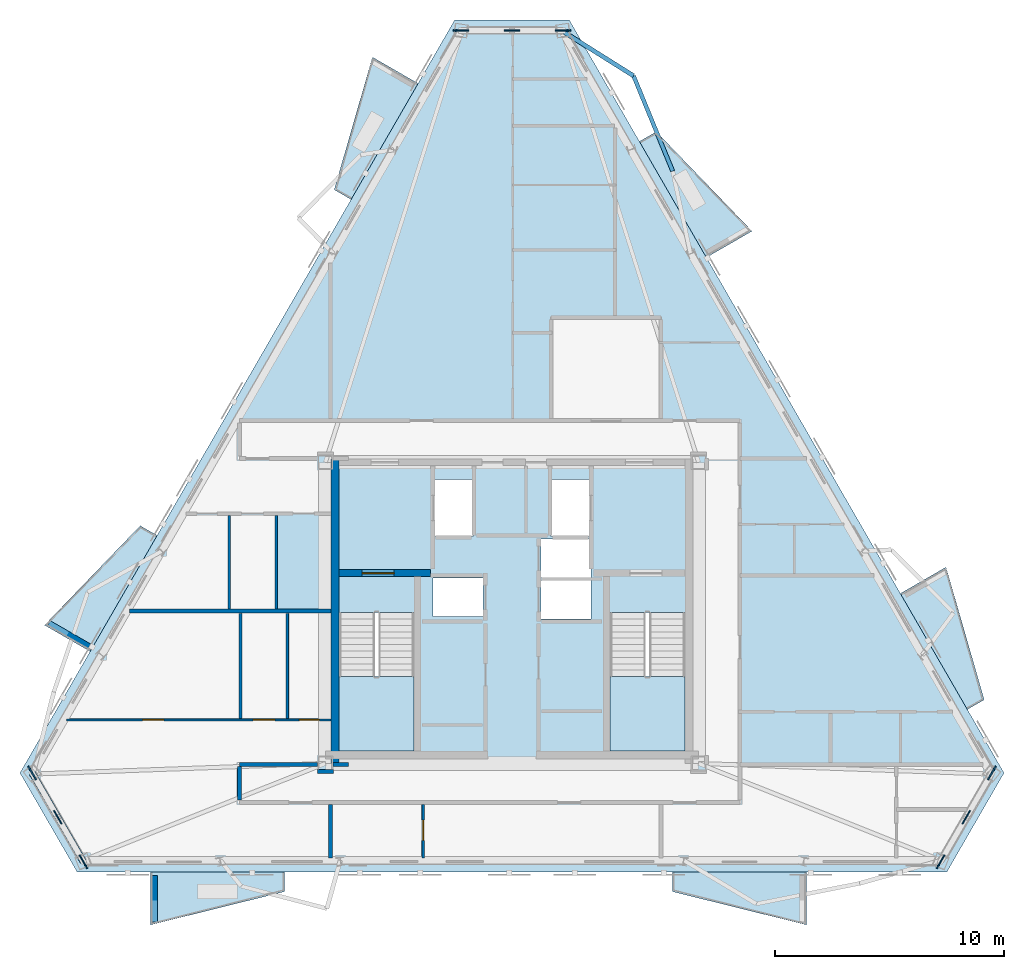
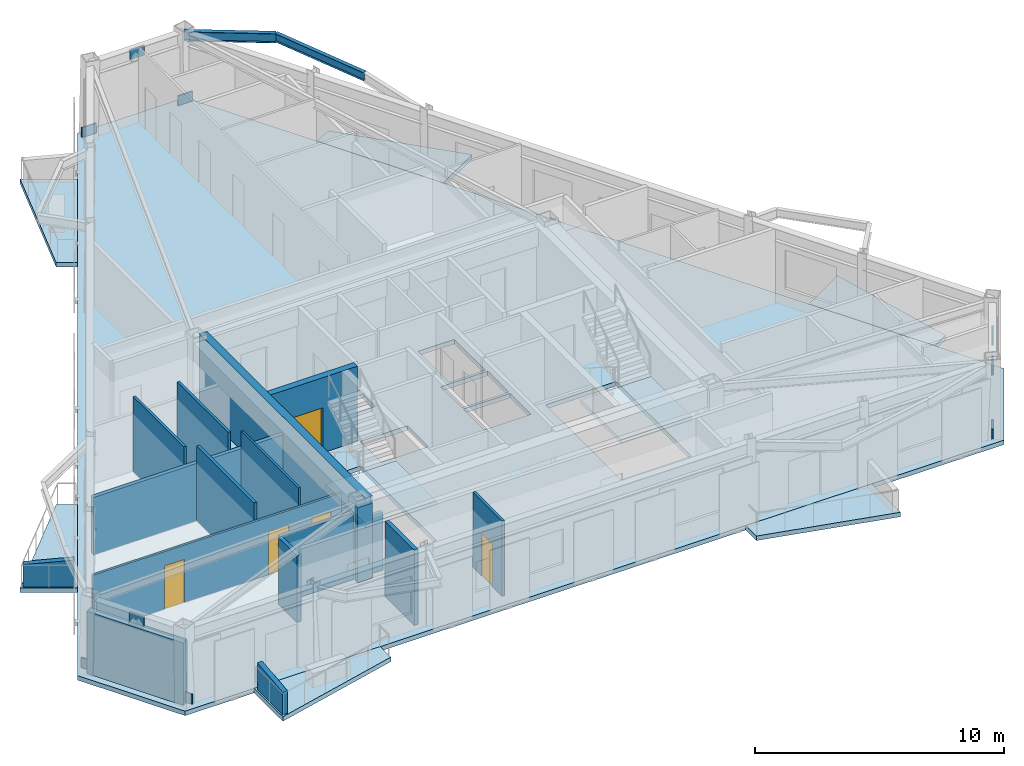
# One storey, part 2 of 9: 17 walls, 9 plates, 9 slabs, 5 doors, 2 beams, 5 openings, 2 elements without a shape of their own.
"""IFC4 building model written with IfcOpenShell, lengths in metres."""

import ifcopenshell
import ifcopenshell.guid

model = None  # the IFC model being written
_history = None  # IfcOwnerHistory: only IFC2X3 demands one
_inside = {}  # id of a spatial element -> (the spatial element, [elements in it])
_under = {}  # id of a project, library or spatial element -> (it, [spatial elements below it])
_declared = {}  # id of a project -> (the project, [libraries it declares])
_typed = {}  # id of a type object -> (the type object, [elements of that type])
_made_of = {}  # id of a material, layer set ... -> (it, [elements and type objects made of it])


def new_model(schema):
    """Start an empty IFC model of exactly this schema.

    Asked for "IFC4X3", IfcOpenShell would pick the latest addendum, in which some entities
    have other attributes; the version numbers below select the first issue.
    IFC2X3 requires an IfcOwnerHistory on every rooted entity: one is made here for all.
    """
    global model, _history
    if schema == "IFC4X3":
        model = ifcopenshell.file(schema_version=(4, 3, 0, 0))
    else:
        model = ifcopenshell.file(schema=schema)
    _inside.clear()
    _under.clear()
    _declared.clear()
    _typed.clear()
    _made_of.clear()
    _history = None
    if model.schema == "IFC2X3":
        org = make("IfcOrganization", Name="unknown")
        user = make(
            "IfcPersonAndOrganization",
            ThePerson=make("IfcPerson", FamilyName="unknown"),
            TheOrganization=org,
        )
        app = make(
            "IfcApplication",
            ApplicationDeveloper=org,
            Version="unknown",
            ApplicationFullName="unknown",
            ApplicationIdentifier="unknown",
        )
        _history = make(
            "IfcOwnerHistory",
            OwningUser=user,
            OwningApplication=app,
            ChangeAction="ADDED",
            CreationDate=0,
        )
    return model


def make(cls, **values):
    """One entity of the class cls with the attributes given. An attribute that is None is left unset."""
    return model.create_entity(
        cls, **{name: value for name, value in values.items() if value is not None}
    )


def rooted(cls, **values):
    """An entity with a GlobalId (a new one), such as an element, a storey or a relation."""
    return make(cls, GlobalId=ifcopenshell.guid.new(), OwnerHistory=_history, **values)


def si_unit(unit_type, name, prefix=None):
    """IfcSIUnit, for example si_unit("LENGTHUNIT", "METRE", prefix="MILLI")."""
    return make("IfcSIUnit", UnitType=unit_type, Prefix=prefix, Name=name)


def assignment(units):
    """IfcUnitAssignment: the units of a project."""
    return None if units is None else make("IfcUnitAssignment", Units=units)


def point(xyz):
    """IfcCartesianPoint."""
    return None if xyz is None else make("IfcCartesianPoint", Coordinates=xyz)


def direction(xyz):
    """IfcDirection."""
    return None if xyz is None else make("IfcDirection", DirectionRatios=xyz)


def frame(location, z_axis=None, x_axis=None):
    """IfcAxis2Placement3D, a coordinate frame: its origin and axes. An axis left out is left unset."""
    return make(
        "IfcAxis2Placement3D",
        Location=point(location),
        Axis=direction(z_axis),
        RefDirection=direction(x_axis),
    )


def frame_2d(location, x_axis=None):
    """IfcAxis2Placement2D, a coordinate frame in the plane: its origin and x axis."""
    return make(
        "IfcAxis2Placement2D", Location=point(location), RefDirection=direction(x_axis)
    )


def origin():
    """The frame at (0, 0, 0) with its axes left unset."""
    return frame((0.0, 0.0, 0.0))


def origin_2d():
    """The frame at (0, 0) in the plane with its x axis left unset."""
    return frame_2d((0.0, 0.0))


def place(relative_to, where):
    """IfcLocalPlacement: puts the frame where relative to a parent placement (None: the world)."""
    return make(
        "IfcLocalPlacement", PlacementRelTo=relative_to, RelativePlacement=where
    )


def context(
    kind, dimensions, precision=None, world=None, true_north=None, identifier=None
):
    """IfcGeometricRepresentationContext, for example the 3D "Model" context."""
    return make(
        "IfcGeometricRepresentationContext",
        ContextIdentifier=identifier,
        ContextType=kind,
        CoordinateSpaceDimension=dimensions,
        Precision=precision,
        WorldCoordinateSystem=world,
        TrueNorth=true_north,
    )


def subcontext(parent, identifier, kind, view, scale=None):
    """IfcGeometricRepresentationSubContext, for example "Body" below "Model"."""
    return make(
        "IfcGeometricRepresentationSubContext",
        ContextIdentifier=identifier,
        ContextType=kind,
        ParentContext=parent,
        TargetScale=scale,
        TargetView=view,
    )


def project(units=None, contexts=None):
    """IfcProject with its units and contexts."""
    return rooted(
        "IfcProject",
        Name="project",
        RepresentationContexts=contexts,
        UnitsInContext=assignment(units),
    )


def spatial(cls, under=None, at=None, **own):
    """A site, building, storey or space (cls), placed at a placement, below another one or the project."""
    s = rooted(cls, ObjectPlacement=at, **own)
    if under is not None:
        _under.setdefault(under.id(), (under, []))[1].append(s)
    return s


def polyline(points):
    """IfcPolyline through the points."""
    return make("IfcPolyline", Points=[point(p) for p in points])


def profile(cls, at=None, kind="AREA", **sizes):
    """A parametric profile (cls). Its sizes go by their IFC names, for example OverallWidth=200.0."""
    return make(cls, ProfileType=kind, Position=at, **sizes)


def rectangle(**sizes):
    """IfcRectangleProfileDef."""
    return profile("IfcRectangleProfileDef", **sizes)


def i_section(**sizes):
    """IfcIShapeProfileDef."""
    return profile("IfcIShapeProfileDef", **sizes)


def outline(outer, holes=None, kind="AREA"):
    """IfcArbitraryClosedProfileDef: a profile drawn as a closed curve; with holes, ...WithVoids."""
    if holes is None:
        return make("IfcArbitraryClosedProfileDef", ProfileType=kind, OuterCurve=outer)
    return make(
        "IfcArbitraryProfileDefWithVoids",
        ProfileType=kind,
        OuterCurve=outer,
        InnerCurves=holes,
    )


def extrude(swept, where, along, depth):
    """IfcExtrudedAreaSolid: the profile swept, set in the frame where, extruded along a direction by depth."""
    return make(
        "IfcExtrudedAreaSolid",
        SweptArea=swept,
        Position=where,
        ExtrudedDirection=direction(along),
        Depth=depth,
    )


def shape(context_of_items, identifier, shape_type, items):
    """IfcShapeRepresentation: the items that make up one representation, for example the "Body"."""
    return make(
        "IfcShapeRepresentation",
        ContextOfItems=context_of_items,
        RepresentationIdentifier=identifier,
        RepresentationType=shape_type,
        Items=items,
    )


def material(Name=None, Category=None):
    """IfcMaterial."""
    return make("IfcMaterial", Name=Name, Category=Category)


def layer(
    of_material, thickness, ventilated=None, Name=None, Category=None, Priority=None
):
    """IfcMaterialLayer: one layer of a wall or slab, of a material (None: an air gap)."""
    return make(
        "IfcMaterialLayer",
        Material=of_material,
        LayerThickness=thickness,
        IsVentilated=ventilated,
        Name=Name,
        Category=Category,
        Priority=Priority,
    )


def layer_set(layers, Name=None):
    """IfcMaterialLayerSet."""
    return make("IfcMaterialLayerSet", MaterialLayers=layers, LayerSetName=Name)


def material_profile(
    of_material, cross_section, Name=None, Category=None, Priority=None
):
    """IfcMaterialProfile: a cross section and its material."""
    return make(
        "IfcMaterialProfile",
        Name=Name,
        Material=of_material,
        Profile=cross_section,
        Priority=Priority,
        Category=Category,
    )


def profile_set(profiles, Name=None, composite=None):
    """IfcMaterialProfileSet."""
    return make(
        "IfcMaterialProfileSet",
        Name=Name,
        MaterialProfiles=profiles,
        CompositeProfile=composite,
    )


def made_of(thing, what):
    """Note that an element or type object is made of a material, layer set ...; save() writes the relation."""
    if what is not None:
        _made_of.setdefault(what.id(), (what, []))[1].append(thing)
    return thing


def type_object(cls, material=None, **own):
    """A type object (cls), such as IfcWallType, which elements share."""
    return made_of(rooted(cls, **own), material)


def element(
    cls,
    number,
    at=None,
    inside=None,
    cuts=None,
    type_object=None,
    material=None,
    context=None,
    identifier="Body",
    shape_type=None,
    held_by="IfcProductDefinitionShape",
    body=None,
    shapes=None,
    **own,
):
    """One element of the class cls, such as IfcWall. Its Tag is "e" and its number.

    at: its placement. inside: the storey or other place that contains it. cuts: it is an
    opening in that element (IfcRelVoidsElement). A single representation is given by context,
    identifier, shape_type and body (its items); several are given by shapes. held_by: the class
    of the entity that holds the representations. save() writes the other relations.
    """
    e = rooted(cls, Tag="e%d" % number, ObjectPlacement=at, **own)
    if body is not None:
        shapes = [shape(context, identifier, shape_type, body)]
    if shapes is not None:
        e.Representation = make(held_by, Representations=shapes)
    if inside is not None:
        _inside.setdefault(inside.id(), (inside, []))[1].append(e)
    if cuts is not None:
        rooted(
            "IfcRelVoidsElement", RelatingBuildingElement=cuts, RelatedOpeningElement=e
        )
    if type_object is not None:
        _typed.setdefault(type_object.id(), (type_object, []))[1].append(e)
    return made_of(e, material)


def fill(opening, filler):
    """IfcRelFillsElement: the door or window that sits in an opening."""
    return rooted(
        "IfcRelFillsElement",
        RelatingOpeningElement=opening,
        RelatedBuildingElement=filler,
    )


def aggregate(whole, parts):
    """IfcRelAggregates: a whole, such as a stair, and the parts it consists of."""
    return rooted("IfcRelAggregates", RelatingObject=whole, RelatedObjects=parts)


def save(model, path):
    """Write the relations noted so far, then the file.

    IfcRelAggregates (storeys below a building ...), IfcRelContainedInSpatialStructure (elements
    in a storey), IfcRelDefinesByType, IfcRelAssociatesMaterial and IfcRelDeclares: one each for
    every whole, place, type object, material and project.
    """
    for whole, parts in _under.values():
        aggregate(whole, parts)
    for where, things in _inside.values():
        rooted(
            "IfcRelContainedInSpatialStructure",
            RelatedElements=things,
            RelatingStructure=where,
        )
    for kind, things in _typed.values():
        rooted("IfcRelDefinesByType", RelatedObjects=things, RelatingType=kind)
    for what, things in _made_of.values():
        rooted("IfcRelAssociatesMaterial", RelatedObjects=things, RelatingMaterial=what)
    for by, libraries in _declared.values():
        rooted("IfcRelDeclares", RelatingContext=by, RelatedDefinitions=libraries)
    model.write(path)


model = new_model("IFC4")

# Units and contexts
model_context = context("Model", 3, precision=1e-05, world=origin(), true_north=direction((0.0, 1.0)))
body_context = subcontext(model_context, "Body", "Model", "MODEL_VIEW")
ifc_project = project(units=[si_unit("LENGTHUNIT", "METRE"), si_unit("AREAUNIT", "SQUARE_METRE"), si_unit("VOLUMEUNIT", "CUBIC_METRE"), si_unit("PLANEANGLEUNIT", "RADIAN"), si_unit("MASSUNIT", "GRAM", prefix="KILO")], contexts=[model_context])

# Site, building, storey
site_placement = place(None, origin())
site = spatial("IfcSite", under=ifc_project, at=site_placement, CompositionType="ELEMENT")
building_placement = place(site_placement, origin())
building = spatial("IfcBuilding", under=site, at=building_placement, Name="Oramaril Tower", CompositionType="ELEMENT")
storey_placement = place(building_placement, frame((0.0, 0.0, 281.10009765625)))
storey = spatial("IfcBuildingStorey", under=building, at=storey_placement, Name="L74", CompositionType="ELEMENT", Elevation=281.10009765625)

# Beams
ifc_material_1 = material(Name="Steel ASTM A572 Gr 50", Category="steel")
ifc_material_profile_1 = material_profile(ifc_material_1, i_section(OverallWidth=0.19091796875, OverallDepth=0.45703125, WebThickness=0.009033203125, FlangeThickness=0.014404296875, at=origin_2d()), Name="W18X50")
ifc_profile_set_1 = profile_set([ifc_material_profile_1], Name="Steel ASTM A572 Gr 50")
beam_type_1 = type_object("IfcBeamType", Name="BT-BB1", PredefinedType="BEAM", material=ifc_profile_set_1)
beam_1_placement = place(storey_placement, frame((39.674072265625, 42.994873046875, 3.451416015625), z_axis=(0.846769030932, -0.531960720593, 0.0), x_axis=(0.531960720593, 0.846769030932, 0.0)))
element("IfcBeam", 1, at=beam_1_placement, inside=storey, type_object=beam_type_1, Name="L74 Balcony Column-Framed Cantilever 04.2", PredefinedType="BEAM", context=body_context, shape_type="SweptSolid", body=[
    extrude(i_section(OverallWidth=0.19091796875, OverallDepth=0.45703125, WebThickness=0.009033203125, FlangeThickness=0.014404296875, at=origin_2d()), origin(), (0.0, 0.0, 1.0), 3.699951171875),
])
ifc_material_2 = material(Name="Steel ASTM A572 Gr 50", Category="steel")
ifc_material_profile_2 = material_profile(ifc_material_2, i_section(OverallWidth=0.177978515625, OverallDepth=0.404052734375, WebThickness=0.007568359375, FlangeThickness=0.010986328125, at=origin_2d()), Name="W16X36")
ifc_profile_set_2 = profile_set([ifc_material_profile_2], Name="Steel ASTM A572 Gr 50")
beam_type_2 = type_object("IfcBeamType", Name="BT-SB1", PredefinedType="BEAM", material=ifc_profile_set_2)
beam_2_placement = place(storey_placement, frame((44.5166015625, 36.86328125, 3.477783203125), z_axis=(-0.379830164168, 0.925056239581, 0.0), x_axis=(-0.925056239581, -0.379830164168, 0.0)))
element("IfcBeam", 2, at=beam_2_placement, inside=storey, type_object=beam_type_2, Name="L74 Balcony Edge Tie Beam 04", PredefinedType="BEAM", context=body_context, shape_type="SweptSolid", body=[
    extrude(i_section(OverallWidth=0.177978515625, OverallDepth=0.404052734375, WebThickness=0.007568359375, FlangeThickness=0.010986328125, at=origin_2d()), origin(), (0.0, 0.0, 1.0), 4.500732421875),
])

# Plates
ifc_material_3 = material(Name="Steel ASTM A572 Gr 50", Category="steel")
ifc_layer_1 = layer(ifc_material_3, 0.06005859375)
ifc_layer_set_1 = layer_set([ifc_layer_1], Name="PLT-G60")
plate_type = type_object("IfcPlateType", Name="PLT-G60", PredefinedType="USERDEFINED", material=ifc_layer_set_1)
for number, where, z_axis, x_axis, name in (
    (3, (17.664306640625, 8.64794921875, 3.134033203125), (0.0, 0.0, 1.0), (0.499992442484, -0.866029767075, 0.0), "L74 Chevron Brace Gusset Plate BN-1"),
    (4, (16.54638671875, 10.584228515625, 0.099853515625), (0.0, 0.0, 1.0), (0.499992442484, -0.866029767075, 0.0), "L74 Chevron Brace Gusset Plate BN-1"),
    (5, (18.7822265625, 6.711669921875, 0.099853515625), (0.0, 0.0, 1.0), (0.499992442484, -0.866029767075, 0.0), "L74 Chevron Brace Gusset Plate BN-1"),
    (6, (57.335693359375, 8.64794921875, 3.134033203125), (0.0, 0.0, 1.0), (0.499992442484, 0.866029767075, 0.0), "L74 Chevron Brace Gusset Plate BN-1"),
    (7, (56.2177734375, 6.711669921875, 0.099853515625), (0.0, 0.0, 1.0), (0.499992442484, 0.866029767075, 0.0), "L74 Chevron Brace Gusset Plate BN-1"),
    (8, (58.45361328125, 10.584228515625, 0.099853515625), (0.0, 0.0, 1.0), (0.499992442484, 0.866029767075, 0.0), "L74 Chevron Brace Gusset Plate BN-1"),
    (9, (37.5, 43.004150390625, 3.134033203125), (0.0, 0.0, 1.0), (-1.0, 0.0, 0.0), "L74 Chevron Brace Gusset Plate BN-1"),
    (10, (39.73583984375, 43.004150390625, 0.099853515625), (0.0, 0.0, 1.0), (-1.0, 0.0, 0.0), "L74 Chevron Brace Gusset Plate BN-1"),
    (11, (35.26416015625, 43.004150390625, 0.099853515625), (0.0, 0.0, 1.0), (-1.0, 0.0, 0.0), "L74 Chevron Brace Gusset Plate BN-1"),
):
    element("IfcPlate", number, at=place(storey_placement, frame(where, z_axis=z_axis, x_axis=x_axis)), inside=storey, type_object=plate_type, Name=name, ObjectType="GUSSET", PredefinedType="USERDEFINED", context=body_context, shape_type="SweptSolid", body=[
        extrude(rectangle(XDim=0.679931640625, YDim=0.06005859375, at=origin_2d()), origin(), (0.0, 0.0, 1.0), 0.47998046875),
    ])

# Slabs
ifc_material_4 = material(Name="Concrete C40/50", Category="concrete")
ifc_layer_2 = layer(ifc_material_4, 0.199951171875)
ifc_layer_set_2 = layer_set([ifc_layer_2], Name="SLT-BAL20")
slab_type_1 = type_object("IfcSlabType", Name="SLT-BAL20", PredefinedType="FLOOR", material=ifc_layer_set_2)
slab_1_placement = place(storey_placement, frame((0.0, 0.0, -0.22021484375)))
element("IfcSlab", 12, at=slab_1_placement, inside=storey, type_object=slab_type_1, Name="L74 Cantilevered Balcony Slab L74-BAL-S2", PredefinedType="FLOOR", context=body_context, shape_type="SweptSolid", body=[
    extrude(outline(polyline([(44.50830078125, 6.253662109375), (50.3583984375, 6.253662109375), (50.3583984375, 3.95166015625), (44.50830078125, 5.401611328125), (44.50830078125, 6.253662109375)])), origin(), (0.0, 0.0, 1.0), 0.22021484375),
])
slab_2_placement = place(storey_placement, frame((0.0, 0.0, -0.22021484375)))
element("IfcSlab", 13, at=slab_2_placement, inside=storey, type_object=slab_type_1, Name="L74 Cantilevered Balcony Slab L74-BAL-NE1", PredefinedType="FLOOR", context=body_context, shape_type="SweptSolid", body=[
    extrude(outline(polyline([(57.383056640625, 13.3544921875), (54.4580078125, 18.420654296875), (56.45166015625, 19.57177734375), (58.120849609375, 13.780517578125), (57.383056640625, 13.3544921875)])), origin(), (0.0, 0.0, 1.0), 0.22021484375),
])
slab_3_placement = place(storey_placement, frame((0.0, 0.0, -0.22021484375)))
element("IfcSlab", 14, at=slab_3_placement, inside=storey, type_object=slab_type_1, Name="L74 Cantilevered Balcony Slab L74-BAL-NW2", PredefinedType="FLOOR", context=body_context, shape_type="SweptSolid", body=[
    extrude(outline(polyline([(22.00439453125, 20.953857421875), (19.07958984375, 15.8876953125), (17.0859375, 17.03857421875), (21.2666015625, 21.3798828125), (22.00439453125, 20.953857421875)])), origin(), (0.0, 0.0, 1.0), 0.22021484375),
])
ifc_material_5 = material(Name="Concrete C50/60", Category="concrete")
ifc_layer_3 = layer(ifc_material_5, 0.219970703125)
ifc_layer_set_3 = layer_set([ifc_layer_3], Name="SLT-FLR22")
slab_type_2 = type_object("IfcSlabType", Name="SLT-FLR22", PredefinedType="FLOOR", material=ifc_layer_set_3)
slab_4_placement = place(storey_placement, frame((0.0, 0.0, -0.22021484375)))
element("IfcSlab", 15, at=slab_4_placement, inside=storey, type_object=slab_type_2, Name="L74 Structural Floor Slab", PredefinedType="FLOOR", context=body_context, shape_type="SweptSolid", body=[
    extrude(outline(polyline([(16.015380859375, 10.584228515625), (18.5166015625, 6.251708984375), (56.4833984375, 6.251708984375), (58.984619140625, 10.584228515625), (40.00146484375, 43.464111328125), (34.99853515625, 43.464111328125), (16.015380859375, 10.584228515625)]), holes=[polyline([(29.949951171875, 17.58935546875), (29.949951171875, 11.550048828125), (33.219970703125, 11.550048828125), (33.219970703125, 17.58935546875), (29.949951171875, 17.58935546875)]), polyline([(41.780029296875, 17.58935546875), (41.780029296875, 11.550048828125), (45.050048828125, 11.550048828125), (45.050048828125, 17.58935546875), (41.780029296875, 17.58935546875)]), polyline([(34.110107421875, 20.909912109375), (35.7900390625, 20.909912109375), (35.7900390625, 23.389892578125), (34.110107421875, 23.389892578125), (34.110107421875, 20.909912109375)]), polyline([(39.2099609375, 20.909912109375), (40.889892578125, 20.909912109375), (40.889892578125, 23.389892578125), (39.2099609375, 23.389892578125), (39.2099609375, 20.909912109375)]), polyline([(34.06005859375, 17.409912109375), (36.239990234375, 17.409912109375), (36.239990234375, 19.090087890625), (34.06005859375, 19.090087890625), (34.06005859375, 17.409912109375)]), polyline([(38.760009765625, 17.31005859375), (40.93994140625, 17.31005859375), (40.93994140625, 18.989990234375), (38.760009765625, 18.989990234375), (38.760009765625, 17.31005859375)]), polyline([(38.760009765625, 19.110107421875), (40.93994140625, 19.110107421875), (40.93994140625, 20.7900390625), (38.760009765625, 20.7900390625), (38.760009765625, 19.110107421875)])]), origin(), (0.0, 0.0, 1.0), 0.22021484375),
])

# Stair, slab
ifc_material_6 = material(Name="Concrete C50/60", Category="concrete")
stair_type = type_object("IfcStairType", Name="STT-DG-3900", PredefinedType="HALF_TURN_STAIR", material=ifc_material_6)
stair_1_placement = place(storey_placement, origin())
stair_1 = element("IfcStair", 16, at=stair_1_placement, inside=storey, type_object=stair_type, Name="L74 Protected PFP Exit Stair ST-1", PredefinedType="HALF_TURN_STAIR")
ifc_material_7 = material(Name="Concrete C50/60", Category="concrete")
ifc_layer_4 = layer(ifc_material_7, 0.199951171875)
ifc_layer_set_4 = layer_set([ifc_layer_4], Name="SLT-LND20")
slab_type_3 = type_object("IfcSlabType", Name="SLT-LND20", PredefinedType="LANDING", material=ifc_layer_set_4)
slab_5_placement = place(storey_placement, frame((0.0, 0.0, 1.75)))
slab_5 = element("IfcSlab", 17, at=slab_5_placement, type_object=slab_type_3, Name="ST-1 landing 1", PredefinedType="LANDING", context=body_context, shape_type="SweptSolid", body=[
    extrude(outline(polyline([(29.949951171875, 14.7900390625), (29.949951171875, 11.550048828125), (33.219970703125, 11.550048828125), (33.219970703125, 14.7900390625), (29.949951171875, 14.7900390625)])), origin(), (0.0, 0.0, 1.0), 0.199951171875),
])
aggregate(stair_1, [slab_5])

stair_2_placement = place(storey_placement, origin())
stair_2 = element("IfcStair", 18, at=stair_2_placement, inside=storey, type_object=stair_type, Name="L74 Protected PFP Exit Stair ST-2", PredefinedType="HALF_TURN_STAIR")
slab_6_placement = place(storey_placement, frame((0.0, 0.0, 1.75)))
slab_6 = element("IfcSlab", 19, at=slab_6_placement, type_object=slab_type_3, Name="ST-2 landing 1", PredefinedType="LANDING", context=body_context, shape_type="SweptSolid", body=[
    extrude(outline(polyline([(41.780029296875, 14.7900390625), (41.780029296875, 11.550048828125), (45.050048828125, 11.550048828125), (45.050048828125, 14.7900390625), (41.780029296875, 14.7900390625)])), origin(), (0.0, 0.0, 1.0), 0.199951171875),
])
aggregate(stair_2, [slab_6])

# Slabs
ifc_material_8 = material(Name="Concrete C40/50", Category="concrete")
ifc_layer_5 = layer(ifc_material_8, 0.18994140625)
ifc_layer_set_5 = layer_set([ifc_layer_5], Name="SLT-PLN19")
slab_type_4 = type_object("IfcSlabType", Name="SLT-PLN19", PredefinedType="FLOOR", material=ifc_layer_set_5)
slab_7_placement = place(storey_placement, frame((0.0, 0.0, -0.22021484375)))
element("IfcSlab", 20, at=slab_7_placement, inside=storey, type_object=slab_type_4, Name="L74 Tree Planter Balcony Slab L74-BAL-S1", PredefinedType="FLOOR", context=body_context, shape_type="SweptSolid", body=[
    extrude(outline(polyline([(21.716796875, 6.253662109375), (27.566650390625, 6.253662109375), (27.566650390625, 5.401611328125), (21.716796875, 3.95166015625), (21.716796875, 6.253662109375)])), origin(), (0.0, 0.0, 1.0), 0.22021484375),
])
slab_8_placement = place(storey_placement, frame((0.0, 0.0, -0.22021484375)))
element("IfcSlab", 21, at=slab_8_placement, inside=storey, type_object=slab_type_4, Name="L74 Tree Planter Balcony Slab L74-BAL-NE2", PredefinedType="FLOOR", context=body_context, shape_type="SweptSolid", body=[
    extrude(outline(polyline([(45.9873046875, 33.092529296875), (43.062255859375, 38.15869140625), (43.800048828125, 38.584716796875), (47.980712890625, 34.243408203125), (45.9873046875, 33.092529296875)])), origin(), (0.0, 0.0, 1.0), 0.22021484375),
])
slab_9_placement = place(storey_placement, frame((0.0, 0.0, -0.22021484375)))
element("IfcSlab", 22, at=slab_9_placement, inside=storey, type_object=slab_type_4, Name="L74 Tree Planter Balcony Slab L74-BAL-NW1", PredefinedType="FLOOR", context=body_context, shape_type="SweptSolid", body=[
    extrude(outline(polyline([(33.400390625, 40.69189453125), (30.475341796875, 35.625732421875), (29.737548828125, 36.0517578125), (31.40673828125, 41.843017578125), (33.400390625, 40.69189453125)])), origin(), (0.0, 0.0, 1.0), 0.22021484375),
])

# Walls
ifc_material_9 = material(Name="Warm Cream Limestone", Category="masonry")
ifc_layer_6 = layer(ifc_material_9, 0.2900390625)
ifc_layer_set_6 = layer_set([ifc_layer_6], Name="WT-EXT29")
wall_type_1 = type_object("IfcWallType", Name="WT-EXT29", PredefinedType="SOLIDWALL", material=ifc_layer_set_6)
wall_1_placement = place(storey_placement, frame((16.54638671875, 10.584228515625, 0.0), z_axis=(0.0, 0.0, 1.0), x_axis=(0.500002867593, -0.866023748172, 0.0)))
element("IfcWall", 23, at=wall_1_placement, inside=storey, type_object=wall_type_1, Name="L74 Tower Limestone Facade Wall 1M", PredefinedType="SOLIDWALL", context=body_context, shape_type="SweptSolid", body=[
    extrude(rectangle(XDim=4.4716796875, YDim=0.2900390625, at=frame_2d((2.23583984375, 0.0))), origin(), (0.0, 0.0, 1.0), 3.057861328125),
])
ifc_material_10 = material(Name="Concrete C40/50", Category="concrete")
ifc_layer_7 = layer(ifc_material_10, 0.22998046875)
ifc_layer_set_7 = layer_set([ifc_layer_7], Name="WT-PRP23")
wall_type_2 = type_object("IfcWallType", Name="WT-PRP23", PredefinedType="PARAPET", material=ifc_layer_set_7)
for number, where, z_axis, x_axis, name in (
    (24, (21.896728515625, 6.113525390625, 0.0), (0.0, 0.0, 1.0), (0.0, -1.0, 0.0), "L74 Trapezoidal Balcony Frame Cheek L74-BAL-S1-L"),
    (25, (19.04833984375, 16.113525390625, 0.0), (0.0, 0.0, 1.0), (-0.866042246008, 0.499970827278, 0.0), "L74 Trapezoidal Balcony Frame Cheek L74-BAL-NW2-R"),
):
    element("IfcWall", number, at=place(storey_placement, frame(where, z_axis=z_axis, x_axis=x_axis)), inside=storey, type_object=wall_type_2, Name=name, PredefinedType="PARAPET", context=body_context, shape_type="SweptSolid", body=[
        extrude(outline(polyline([(0.0, 0.0), (2.0419921875, 0.0), (2.0419921875, 1.099853515625), (0.0, 1.31982421875), (0.0, 0.0)])), frame((0.0, 0.114990234375, 0.0), z_axis=(0.0, -1.0, 0.0), x_axis=(1.0, 0.0, 0.0)), (0.0, 0.0, 1.0), 0.22998046875),
    ])

# Wall, openings, doors
ifc_material_11 = material(Name="Acoustic Gypsum Board Partition")
ifc_layer_8 = layer(ifc_material_11, 0.10009765625)
ifc_layer_set_8 = layer_set([ifc_layer_8], Name="WT-PT10")
wall_type_3 = type_object("IfcWallType", Name="WT-PT10", PredefinedType="PARTITIONING", material=ifc_layer_set_8)
wall_2_placement = place(storey_placement, frame((18.0556640625, 12.89990234375, 0.0), z_axis=(0.0, 0.0, 1.0), x_axis=(1.0, 0.0, 0.0)))
wall_2 = element("IfcWall", 26, at=wall_2_placement, inside=storey, type_object=wall_type_3, Name="L74 Interior Partition PT-10", PredefinedType="PARTITIONING", context=body_context, shape_type="SweptSolid", body=[
    extrude(rectangle(XDim=11.5302734375, YDim=0.10009765625, at=frame_2d((5.76513671875, 0.0))), origin(), (0.0, 0.0, 1.0), 2.81982421875),
])
opening_1_placement = place(wall_2_placement, frame((3.318603515625, 0.0, 0.0)))
opening_1 = element("IfcOpeningElement", 27, at=opening_1_placement, cuts=wall_2, Name="Opening D-L74-04", PredefinedType="OPENING", context=body_context, shape_type="SweptSolid", body=[
    extrude(rectangle(XDim=0.919921875, YDim=2.1201171875, at=frame_2d((0.4599609375, 1.06005859375))), frame((0.0, 0.050048828125, 0.0), z_axis=(0.0, -1.0, 0.0), x_axis=(1.0, 0.0, 0.0)), (0.0, 0.0, 1.0), 0.10009765625),
])
opening_2_placement = place(wall_2_placement, frame((8.134521484375, 0.0, 0.0)))
opening_2 = element("IfcOpeningElement", 28, at=opening_2_placement, cuts=wall_2, Name="Opening D-L74-05", PredefinedType="OPENING", context=body_context, shape_type="SweptSolid", body=[
    extrude(rectangle(XDim=0.949951171875, YDim=2.10009765625, at=frame_2d((0.47509765625, 1.050048828125))), frame((0.0, 0.050048828125, 0.0), z_axis=(0.0, -1.0, 0.0), x_axis=(1.0, 0.0, 0.0)), (0.0, 0.0, 1.0), 0.10009765625),
])
opening_3_placement = place(wall_2_placement, frame((10.154296875, 0.0, 0.0)))
opening_3 = element("IfcOpeningElement", 29, at=opening_3_placement, cuts=wall_2, Name="Opening D-L74-06", PredefinedType="OPENING", context=body_context, shape_type="SweptSolid", body=[
    extrude(rectangle(XDim=0.8798828125, YDim=2.080078125, at=frame_2d((0.43994140625, 1.0400390625))), frame((0.0, 0.050048828125, 0.0), z_axis=(0.0, -1.0, 0.0), x_axis=(1.0, 0.0, 0.0)), (0.0, 0.0, 1.0), 0.10009765625),
])
ifc_material_12 = material(Name="FSC Brazilian Freijo Hardwood", Category="wood")
door_type_1 = type_object("IfcDoorType", Name="DT-BATH", OperationType="NOTDEFINED", PredefinedType="DOOR", material=ifc_material_12)
door_1_placement = place(opening_3_placement, origin())
door_1 = element("IfcDoor", 30, at=door_1_placement, inside=storey, type_object=door_type_1, Name="L74 Flat L74-U3 Bathroom Door D-L74-06", OperationType="SINGLE_SWING_LEFT", OverallHeight=2.080078125, OverallWidth=0.8798828125, PredefinedType="DOOR", context=body_context, shape_type="SweptSolid", body=[
    extrude(rectangle(XDim=0.8798828125, YDim=2.080078125, at=frame_2d((0.43994140625, 1.0400390625))), frame((0.0, 0.02490234375, 0.0), z_axis=(0.0, -1.0, 0.0), x_axis=(1.0, 0.0, 0.0)), (0.0, 0.0, 1.0), 0.050048828125),
])
fill(opening_3, door_1)
ifc_material_13 = material(Name="FSC Brazilian Freijo Hardwood", Category="wood")
door_type_2 = type_object("IfcDoorType", Name="DT-BED", OperationType="NOTDEFINED", PredefinedType="DOOR", material=ifc_material_13)
door_2_placement = place(opening_1_placement, origin())
door_2 = element("IfcDoor", 31, at=door_2_placement, inside=storey, type_object=door_type_2, Name="L74 Flat L74-U3 Master Bedroom Door D-L74-04", OperationType="SINGLE_SWING_LEFT", OverallHeight=2.1201171875, OverallWidth=0.919921875, PredefinedType="DOOR", context=body_context, shape_type="SweptSolid", body=[
    extrude(rectangle(XDim=0.919921875, YDim=2.1201171875, at=frame_2d((0.4599609375, 1.06005859375))), frame((0.0, 0.02490234375, 0.0), z_axis=(0.0, -1.0, 0.0), x_axis=(1.0, 0.0, 0.0)), (0.0, 0.0, 1.0), 0.050048828125),
])
fill(opening_1, door_2)
ifc_material_14 = material(Name="FSC Brazilian Freijo Hardwood", Category="wood")
door_type_3 = type_object("IfcDoorType", Name="DT-STDY", OperationType="NOTDEFINED", PredefinedType="DOOR", material=ifc_material_14)
door_3_placement = place(opening_2_placement, origin())
door_3 = element("IfcDoor", 32, at=door_3_placement, inside=storey, type_object=door_type_3, Name="L74 Flat L74-U3 Kitchen Door D-L74-05", OperationType="SINGLE_SWING_RIGHT", OverallHeight=2.10009765625, OverallWidth=0.949951171875, PredefinedType="DOOR", context=body_context, shape_type="SweptSolid", body=[
    extrude(rectangle(XDim=0.949951171875, YDim=2.10009765625, at=frame_2d((0.47509765625, 1.050048828125))), frame((0.0, 0.02490234375, 0.0), z_axis=(0.0, -1.0, 0.0), x_axis=(1.0, 0.0, 0.0)), (0.0, 0.0, 1.0), 0.050048828125),
])
fill(opening_2, door_3)

# Walls
wall_3_placement = place(storey_placement, frame((27.68994140625, 12.9541015625, 0.0), z_axis=(0.0, 0.0, 1.0), x_axis=(0.0, 1.0, 0.0)))
element("IfcWall", 33, at=wall_3_placement, inside=storey, type_object=wall_type_3, Name="L74 Interior Partition PT-10", PredefinedType="PARTITIONING", context=body_context, shape_type="SweptSolid", body=[
    extrude(rectangle(XDim=4.601806640625, YDim=0.10009765625, at=frame_2d((2.30078125, 0.0))), origin(), (0.0, 0.0, 1.0), 3.679931640625),
])
ifc_material_15 = material(Name="Acoustic Gypsum Board Partition")
ifc_layer_9 = layer(ifc_material_15, 0.1201171875)
ifc_layer_set_9 = layer_set([ifc_layer_9], Name="WT-PT12")
wall_type_4 = type_object("IfcWallType", Name="WT-PT12", PredefinedType="PARTITIONING", material=ifc_layer_set_9)
for number, where, z_axis, x_axis, name in (
    (34, (25.14990234375, 17.743896484375, 0.0), (0.0, 0.0, 1.0), (0.0, 1.0, 0.0), "L74 Interior Partition PT-12"),
    (35, (27.199951171875, 17.743896484375, 0.0), (0.0, 0.0, 1.0), (0.0, 1.0, 0.0), "L74 Interior Partition PT-12"),
):
    element("IfcWall", number, at=place(storey_placement, frame(where, z_axis=z_axis, x_axis=x_axis)), inside=storey, type_object=wall_type_4, Name=name, PredefinedType="PARTITIONING", context=body_context, shape_type="SweptSolid", body=[
        extrude(rectangle(XDim=4.08203125, YDim=0.1201171875, at=frame_2d((2.041015625, 0.0))), origin(), (0.0, 0.0, 1.0), 3.679931640625),
    ])

# Wall, opening, door
wall_4_placement = place(storey_placement, frame((33.6201171875, 6.860595703125, 0.0), z_axis=(0.0, 0.0, 1.0), x_axis=(0.0, 1.0, 0.0)))
wall_4 = element("IfcWall", 36, at=wall_4_placement, inside=storey, type_object=wall_type_4, Name="L74 Interior Partition PT-12", PredefinedType="PARTITIONING", context=body_context, shape_type="SweptSolid", body=[
    extrude(rectangle(XDim=2.345458984375, YDim=0.1201171875, at=frame_2d((1.1728515625, 0.0))), origin(), (0.0, 0.0, 1.0), 3.679931640625),
])
opening_4_placement = place(wall_4_placement, frame((0.7802734375, 0.0, 0.0)))
opening_4 = element("IfcOpeningElement", 37, at=opening_4_placement, cuts=wall_4, Name="Opening D-L74-20", PredefinedType="OPENING", context=body_context, shape_type="SweptSolid", body=[
    extrude(rectangle(XDim=0.8798828125, YDim=2.080078125, at=frame_2d((0.43994140625, 1.0400390625))), frame((0.0, 0.06005859375, 0.0), z_axis=(0.0, -1.0, 0.0), x_axis=(1.0, 0.0, 0.0)), (0.0, 0.0, 1.0), 0.1201171875),
])
door_4_placement = place(opening_4_placement, origin())
door_4 = element("IfcDoor", 38, at=door_4_placement, inside=storey, type_object=door_type_1, Name="L74 Flat L74-U1 Bathroom Door D-L74-20", OperationType="SINGLE_SWING_LEFT", OverallHeight=2.080078125, OverallWidth=0.8798828125, PredefinedType="DOOR", context=body_context, shape_type="SweptSolid", body=[
    extrude(rectangle(XDim=0.8798828125, YDim=2.080078125, at=frame_2d((0.43994140625, 1.0400390625))), frame((0.0, 0.02490234375, 0.0), z_axis=(0.0, -1.0, 0.0), x_axis=(1.0, 0.0, 0.0)), (0.0, 0.0, 1.0), 0.050048828125),
])
fill(opening_4, door_4)

# Walls
ifc_material_16 = material(Name="Acoustic Gypsum Board Partition")
ifc_layer_10 = layer(ifc_material_16, 0.139892578125)
ifc_layer_set_10 = layer_set([ifc_layer_10], Name="WT-PT14")
wall_type_5 = type_object("IfcWallType", Name="WT-PT14", PredefinedType="PARTITIONING", material=ifc_layer_set_10)
wall_5_placement = place(storey_placement, frame((25.639892578125, 12.9541015625, 0.0), z_axis=(0.0, 0.0, 1.0), x_axis=(0.0, 1.0, 0.0)))
element("IfcWall", 39, at=wall_5_placement, inside=storey, type_object=wall_type_5, Name="L74 Interior Partition PT-14", PredefinedType="PARTITIONING", context=body_context, shape_type="SweptSolid", body=[
    extrude(rectangle(XDim=4.601806640625, YDim=0.139892578125, at=frame_2d((2.30078125, 0.0))), origin(), (0.0, 0.0, 1.0), 3.679931640625),
])
ifc_material_17 = material(Name="Autoclaved Cellular Concrete Block", Category="concrete")
ifc_layer_11 = layer(ifc_material_17, 0.179931640625)
ifc_layer_set_11 = layer_set([ifc_layer_11], Name="WT-PT18")
wall_type_6 = type_object("IfcWallType", Name="WT-PT18", PredefinedType="PARTITIONING", material=ifc_layer_set_11)
wall_6_placement = place(storey_placement, frame((29.0048828125, 10.64990234375, 0.0), z_axis=(0.0, 0.0, 1.0), x_axis=(1.0, 0.0, 0.0)))
element("IfcWall", 40, at=wall_6_placement, inside=storey, type_object=wall_type_6, Name="L74 Interior Partition PT-18", PredefinedType="PARTITIONING", context=body_context, shape_type="SweptSolid", body=[
    extrude(rectangle(XDim=0.690185546875, YDim=0.179931640625, at=frame_2d((0.34521484375, 0.0))), origin(), (0.0, 0.0, 1.0), 3.679931640625),
])
wall_7_placement = place(storey_placement, frame((25.60009765625, 10.949951171875, 0.0), z_axis=(0.0, 0.0, 1.0), x_axis=(1.0, 0.0, 0.0)))
element("IfcWall", 41, at=wall_7_placement, inside=storey, type_object=wall_type_6, Name="L74 Interior Partition PT-18", PredefinedType="PARTITIONING", context=body_context, shape_type="SweptSolid", body=[
    extrude(rectangle(XDim=3.409912109375, YDim=0.179931640625, at=frame_2d((1.705078125, 0.0))), origin(), (0.0, 0.0, 1.0), 3.265869140625),
])
wall_8_placement = place(storey_placement, frame((29.68994140625, 10.949951171875, 0.0), z_axis=(0.0, 0.0, 1.0), x_axis=(1.0, 0.0, 0.0)))
element("IfcWall", 42, at=wall_8_placement, inside=storey, type_object=wall_type_6, Name="L74 Interior Partition PT-18", PredefinedType="PARTITIONING", context=body_context, shape_type="SweptSolid", body=[
    extrude(rectangle(XDim=0.6650390625, YDim=0.179931640625, at=frame_2d((0.33251953125, 0.0))), origin(), (0.0, 0.0, 1.0), 2.81982421875),
])
wall_9_placement = place(storey_placement, frame((20.798095703125, 17.64990234375, 0.0), z_axis=(0.0, 0.0, 1.0), x_axis=(1.0, 0.0, 0.0)))
element("IfcWall", 43, at=wall_9_placement, inside=storey, type_object=wall_type_6, Name="L74 Interior Partition PT-18", PredefinedType="PARTITIONING", context=body_context, shape_type="SweptSolid", body=[
    extrude(rectangle(XDim=8.787841796875, YDim=0.179931640625, at=frame_2d((4.39404296875, 0.0))), origin(), (0.0, 0.0, 1.0), 2.81982421875),
])
wall_10_placement = place(storey_placement, frame((25.60009765625, 9.39404296875, 0.0), z_axis=(0.0, 0.0, 1.0), x_axis=(0.0, 1.0, 0.0)))
element("IfcWall", 44, at=wall_10_placement, inside=storey, type_object=wall_type_6, Name="L74 Interior Partition PT-18", PredefinedType="PARTITIONING", context=body_context, shape_type="SweptSolid", body=[
    extrude(rectangle(XDim=1.4619140625, YDim=0.179931640625, at=frame_2d((0.73095703125, 0.0))), origin(), (0.0, 0.0, 1.0), 3.265869140625),
])
wall_11_placement = place(storey_placement, frame((29.580078125, 6.860595703125, 0.0), z_axis=(0.0, 0.0, 1.0), x_axis=(0.0, 1.0, 0.0)))
element("IfcWall", 45, at=wall_11_placement, inside=storey, type_object=wall_type_6, Name="L74 Interior Partition PT-18", PredefinedType="PARTITIONING", context=body_context, shape_type="SweptSolid", body=[
    extrude(rectangle(XDim=2.345458984375, YDim=0.179931640625, at=frame_2d((1.1728515625, 0.0))), origin(), (0.0, 0.0, 1.0), 3.679931640625),
])

# Wall, opening, door
ifc_material_18 = material(Name="Concrete C50/60", Category="concrete")
ifc_layer_12 = layer(ifc_material_18, 0.300048828125)
ifc_layer_set_12 = layer_set([ifc_layer_12], Name="WT-SH30")
wall_type_7 = type_object("IfcWallType", Name="WT-SH30", PredefinedType="SHEAR", material=ifc_layer_set_12)
wall_12_placement = place(storey_placement, frame((29.93994140625, 19.31005859375, 0.0), z_axis=(0.0, 0.0, 1.0), x_axis=(1.0, 0.0, 0.0)))
wall_12 = element("IfcWall", 46, at=wall_12_placement, inside=storey, type_object=wall_type_7, Name="L74 Core Shear Wall CW-ST1N", PredefinedType="SHEAR", context=body_context, shape_type="SweptSolid", body=[
    extrude(rectangle(XDim=4.010009765625, YDim=0.300048828125, at=frame_2d((2.0048828125, 0.0))), origin(), (0.0, 0.0, 1.0), 3.679931640625),
])
opening_5_placement = place(wall_12_placement, frame((1.010009765625, 0.0, 0.0)))
opening_5 = element("IfcOpeningElement", 47, at=opening_5_placement, cuts=wall_12, Name="Opening D-L74-ST1", PredefinedType="OPENING", context=body_context, shape_type="SweptSolid", body=[
    extrude(rectangle(XDim=1.39990234375, YDim=2.199951171875, at=frame_2d((0.699951171875, 1.10009765625))), frame((0.0, 0.14990234375, 0.0), z_axis=(0.0, -1.0, 0.0), x_axis=(1.0, 0.0, 0.0)), (0.0, 0.0, 1.0), 0.300048828125),
])
ifc_material_19 = material(Name="Painted Galvanised Steel", Category="steel")
door_type_4 = type_object("IfcDoorType", Name="DT-ST", OperationType="NOTDEFINED", PredefinedType="DOOR", material=ifc_material_19)
door_5_placement = place(opening_5_placement, origin())
door_5 = element("IfcDoor", 48, at=door_5_placement, inside=storey, type_object=door_type_4, Name="L74 Protected Stair ST-1 Fire Door", OperationType="SINGLE_SWING_LEFT", OverallHeight=2.199951171875, OverallWidth=1.39990234375, PredefinedType="DOOR", context=body_context, shape_type="SweptSolid", body=[
    extrude(rectangle(XDim=1.39990234375, YDim=2.199951171875, at=frame_2d((0.699951171875, 1.10009765625))), frame((0.0, 0.02490234375, 0.0), z_axis=(0.0, -1.0, 0.0), x_axis=(1.0, 0.0, 0.0)), (0.0, 0.0, 1.0), 0.050048828125),
])
fill(opening_5, door_5)

# Wall
ifc_material_20 = material(Name="Concrete C50/60", Category="concrete")
ifc_layer_13 = layer(ifc_material_20, 0.35009765625)
ifc_layer_set_13 = layer_set([ifc_layer_13], Name="WT-SH35")
wall_type_8 = type_object("IfcWallType", Name="WT-SH35", PredefinedType="SHEAR", material=ifc_layer_set_13)
wall_13_placement = place(storey_placement, frame((29.764892578125, 11.0, 0.0), z_axis=(0.0, 0.0, 1.0), x_axis=(0.0, 1.0, 0.0)))
element("IfcWall", 49, at=wall_13_placement, inside=storey, type_object=wall_type_8, Name="L74 Core Shear Wall CW-W", PredefinedType="SHEAR", context=body_context, shape_type="SweptSolid", body=[
    extrude(rectangle(XDim=13.300048828125, YDim=0.35009765625, at=frame_2d((6.64990234375, 0.0))), origin(), (0.0, 0.0, 1.0), 3.679931640625),
])

save(model, "model.ifc")
